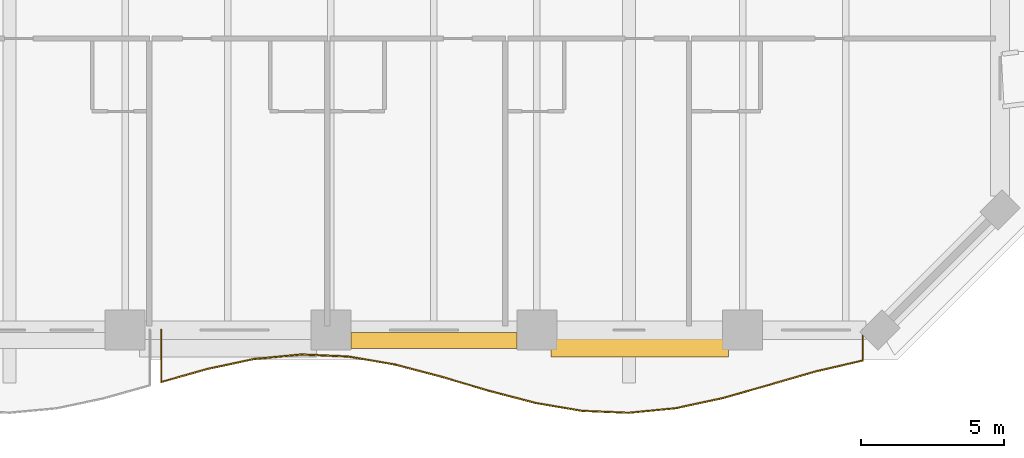
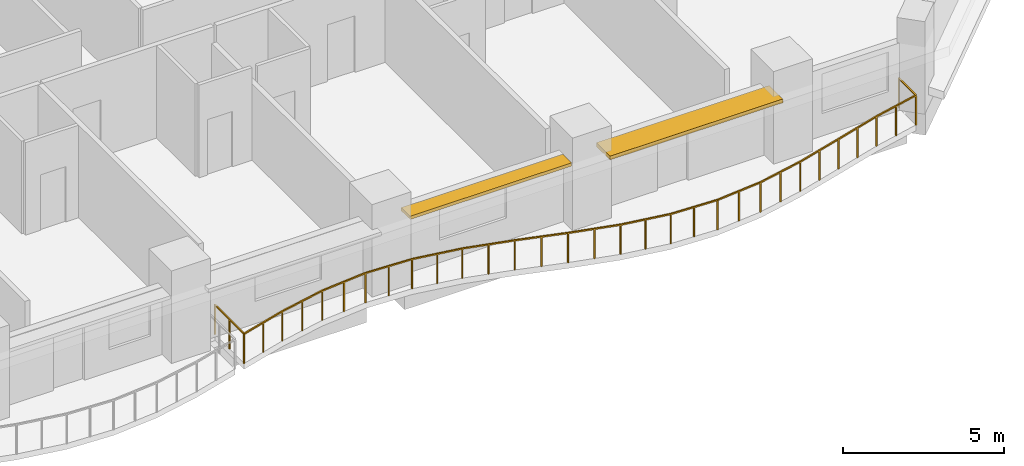
# One storey, part 14 of 15: 2 shading devices, 1 railing.
"""IFC4 building model written with IfcOpenShell, lengths in metres."""

from ifc_helpers import new_model, si_unit, direction, frame, origin, origin_2d, place, context, subcontext, project, spatial, rectangle, extrude, material, layer, layer_set, type_object, element, save


model = new_model("IFC4")

# Units and contexts
model_context = context("Model", 3, precision=1e-05, world=origin(), true_north=direction((0.0, 1.0)))
body_context = subcontext(model_context, "Body", "Model", "MODEL_VIEW")
ifc_project = project(units=[si_unit("LENGTHUNIT", "METRE"), si_unit("AREAUNIT", "SQUARE_METRE"), si_unit("VOLUMEUNIT", "CUBIC_METRE"), si_unit("PLANEANGLEUNIT", "RADIAN"), si_unit("MASSUNIT", "GRAM", prefix="KILO")], contexts=[model_context])

# Site, building, storey
site_placement = place(None, origin())
site = spatial("IfcSite", under=ifc_project, at=site_placement, CompositionType="ELEMENT")
building_placement = place(site_placement, origin())
building = spatial("IfcBuilding", under=site, at=building_placement, Name="Kaelvorn Grand Hotel", CompositionType="ELEMENT")
storey_placement = place(building_placement, frame((0.0, 0.0, 46.39990234375)))
storey = spatial("IfcBuildingStorey", under=building, at=storey_placement, Name="L09", CompositionType="ELEMENT", Elevation=46.39990234375)

# Railing
ifc_material_1 = material(Name="Stainless Steel", Category="steel")
railing_type = type_object("IfcRailingType", Name="RL-BALC-1150", PredefinedType="BALUSTRADE", material=ifc_material_1)
railing_placement = place(storey_placement, frame((54.666748046875, 0.0, 0.0)))
element("IfcRailing", 1, at=railing_placement, inside=storey, type_object=railing_type, Name="L09 Scalloped Wave Balcony Balustrade GR1-3", PredefinedType="BALUSTRADE", context=body_context, shape_type="SweptSolid", body=[
    extrude(rectangle(XDim=0.048095703125, YDim=0.048095703125, at=origin_2d()), frame((0.0, 0.0, 1.1259765625), z_axis=(0.0, -1.0, 0.0), x_axis=(1.0, 0.0, 0.0)), (0.0, 0.0, 1.0), 1.8193359375),
    extrude(rectangle(XDim=0.048095703125, YDim=0.048095703125, at=origin_2d()), frame((0.0, -1.8193359375, 1.1259765625), z_axis=(0.962241545122, 0.272197003733, 0.0), x_axis=(-0.272197003733, 0.962241545122, 0.0)), (0.0, 0.0, 1.0), 1.69970703125),
    extrude(rectangle(XDim=0.048095703125, YDim=0.048095703125, at=origin_2d()), frame((1.635498046875, -1.356689453125, 1.1259765625), z_axis=(0.978174805455, 0.207783661466, 0.0), x_axis=(-0.207783661466, 0.978174805455, 0.0)), (0.0, 0.0, 1.0), 1.671875),
    extrude(rectangle(XDim=0.048095703125, YDim=0.048095703125, at=origin_2d()), frame((3.27099609375, -1.00927734375, 1.1259765625), z_axis=(0.995523480824, 0.09451454453, 0.0), x_axis=(-0.09451454453, 0.995523480824, 0.0)), (0.0, 0.0, 1.0), 1.642822265625),
    extrude(rectangle(XDim=0.048095703125, YDim=0.048095703125, at=origin_2d()), frame((4.906494140625, -0.85400390625, 1.1259765625), z_axis=(0.999045154146, -0.043689586592, 0.0), x_axis=(0.043689586592, 0.999045154146, 0.0)), (0.0, 0.0, 1.0), 1.63720703125),
    extrude(rectangle(XDim=0.048095703125, YDim=0.048095703125, at=origin_2d()), frame((6.542236328125, -0.925537109375, 1.1259765625), z_axis=(0.985410815118, -0.170192612792, 0.0), x_axis=(0.170192612792, 0.985410815118, 0.0)), (0.0, 0.0, 1.0), 1.65966796875),
    extrude(rectangle(XDim=0.048095703125, YDim=0.048095703125, at=origin_2d()), frame((8.177734375, -1.2080078125, 1.1259765625), z_axis=(0.967035258154, -0.254642513119, 0.0), x_axis=(0.254642513119, 0.967035258154, 0.0)), (0.0, 0.0, 1.0), 1.691162109375),
    extrude(rectangle(XDim=0.048095703125, YDim=0.048095703125, at=origin_2d()), frame((9.813232421875, -1.638671875, 1.1259765625), z_axis=(0.959066322629, -0.283181547419, 0.0), x_axis=(0.283181547419, 0.959066322629, 0.0)), (0.0, 0.0, 1.0), 1.705322265625),
    extrude(rectangle(XDim=0.048095703125, YDim=0.048095703125, at=origin_2d()), frame((11.44873046875, -2.12158203125, 1.1259765625), z_axis=(0.967363797332, -0.253391561839, 0.0), x_axis=(0.253391561839, 0.967363797332, 0.0)), (0.0, 0.0, 1.0), 1.69091796875),
    extrude(rectangle(XDim=0.048095703125, YDim=0.048095703125, at=origin_2d()), frame((13.08447265625, -2.550048828125, 1.1259765625), z_axis=(0.985827384416, -0.167762832995, 0.0), x_axis=(0.167762832995, 0.985827384416, 0.0)), (0.0, 0.0, 1.0), 1.658935546875),
    extrude(rectangle(XDim=0.048095703125, YDim=0.048095703125, at=origin_2d()), frame((14.719970703125, -2.828369140625, 1.1259765625), z_axis=(0.9991706558, -0.040718553371, 0.0), x_axis=(0.040718553371, 0.9991706558, 0.0)), (0.0, 0.0, 1.0), 1.636962890625),
    extrude(rectangle(XDim=0.048095703125, YDim=0.048095703125, at=origin_2d()), frame((16.35546875, -2.89501953125, 1.1259765625), z_axis=(0.995253950263, 0.097311738681, 0.0), x_axis=(-0.097311738681, 0.995253950263, 0.0)), (0.0, 0.0, 1.0), 1.643310546875),
    extrude(rectangle(XDim=0.048095703125, YDim=0.048095703125, at=origin_2d()), frame((17.990966796875, -2.735107421875, 1.1259765625), z_axis=(0.977727596313, 0.209877934542, 0.0), x_axis=(-0.209877934542, 0.977727596313, 0.0)), (0.0, 0.0, 1.0), 1.6728515625),
    extrude(rectangle(XDim=0.048095703125, YDim=0.048095703125, at=origin_2d()), frame((19.62646484375, -2.384033203125, 1.1259765625), z_axis=(0.962026235743, 0.272956996141, 0.0), x_axis=(-0.272956996141, 0.962026235743, 0.0)), (0.0, 0.0, 1.0), 1.7001953125),
    extrude(rectangle(XDim=0.048095703125, YDim=0.048095703125, at=origin_2d()), frame((21.26220703125, -1.919921875, 1.1259765625), z_axis=(0.960494697942, 0.278298284625, 0.0), x_axis=(-0.278298284625, 0.960494697942, 0.0)), (0.0, 0.0, 1.0), 1.702880859375),
    extrude(rectangle(XDim=0.048095703125, YDim=0.048095703125, at=origin_2d()), frame((22.897705078125, -1.446044921875, 1.1259765625), z_axis=(0.974229174149, 0.225560449187, 0.0), x_axis=(-0.225560449187, 0.974229174149, 0.0)), (0.0, 0.0, 1.0), 1.6787109375),
    extrude(rectangle(XDim=0.048095703125, YDim=0.048095703125, at=origin_2d()), frame((24.533203125, -1.0673828125, 1.1259765625), z_axis=(0.0, 1.0, 0.0), x_axis=(-1.0, 0.0, 0.0)), (0.0, 0.0, 1.0), 1.0673828125),
    extrude(rectangle(XDim=0.0419921875, YDim=0.0419921875, at=origin_2d()), origin(), (0.0, 0.0, 1.0), 1.101806640625),
    extrude(rectangle(XDim=0.0419921875, YDim=0.0419921875, at=origin_2d()), frame((0.0, -0.90966796875, 0.0)), (0.0, 0.0, 1.0), 1.101806640625),
    extrude(rectangle(XDim=0.0419921875, YDim=0.0419921875, at=origin_2d()), frame((0.0, -1.8193359375, 0.0)), (0.0, 0.0, 1.0), 1.101806640625),
    extrude(rectangle(XDim=0.0419921875, YDim=0.0419921875, at=origin_2d()), frame((0.81787109375, -1.587890625, 0.0)), (0.0, 0.0, 1.0), 1.101806640625),
    extrude(rectangle(XDim=0.0419921875, YDim=0.0419921875, at=origin_2d()), frame((1.635498046875, -1.356689453125, 0.0)), (0.0, 0.0, 1.0), 1.101806640625),
    extrude(rectangle(XDim=0.0419921875, YDim=0.0419921875, at=origin_2d()), frame((2.453125, -1.18310546875, 0.0)), (0.0, 0.0, 1.0), 1.101806640625),
    extrude(rectangle(XDim=0.0419921875, YDim=0.0419921875, at=origin_2d()), frame((3.27099609375, -1.00927734375, 0.0)), (0.0, 0.0, 1.0), 1.101806640625),
    extrude(rectangle(XDim=0.0419921875, YDim=0.0419921875, at=origin_2d()), frame((4.0888671875, -0.931640625, 0.0)), (0.0, 0.0, 1.0), 1.101806640625),
    extrude(rectangle(XDim=0.0419921875, YDim=0.0419921875, at=origin_2d()), frame((4.906494140625, -0.85400390625, 0.0)), (0.0, 0.0, 1.0), 1.101806640625),
    extrude(rectangle(XDim=0.0419921875, YDim=0.0419921875, at=origin_2d()), frame((5.724365234375, -0.8896484375, 0.0)), (0.0, 0.0, 1.0), 1.101806640625),
    extrude(rectangle(XDim=0.0419921875, YDim=0.0419921875, at=origin_2d()), frame((6.542236328125, -0.925537109375, 0.0)), (0.0, 0.0, 1.0), 1.101806640625),
    extrude(rectangle(XDim=0.0419921875, YDim=0.0419921875, at=origin_2d()), frame((7.35986328125, -1.06689453125, 0.0)), (0.0, 0.0, 1.0), 1.101806640625),
    extrude(rectangle(XDim=0.0419921875, YDim=0.0419921875, at=origin_2d()), frame((8.177734375, -1.2080078125, 0.0)), (0.0, 0.0, 1.0), 1.101806640625),
    extrude(rectangle(XDim=0.0419921875, YDim=0.0419921875, at=origin_2d()), frame((8.99560546875, -1.42333984375, 0.0)), (0.0, 0.0, 1.0), 1.101806640625),
    extrude(rectangle(XDim=0.0419921875, YDim=0.0419921875, at=origin_2d()), frame((9.813232421875, -1.638671875, 0.0)), (0.0, 0.0, 1.0), 1.101806640625),
    extrude(rectangle(XDim=0.0419921875, YDim=0.0419921875, at=origin_2d()), frame((10.630859375, -1.880126953125, 0.0)), (0.0, 0.0, 1.0), 1.101806640625),
    extrude(rectangle(XDim=0.0419921875, YDim=0.0419921875, at=origin_2d()), frame((11.44873046875, -2.12158203125, 0.0)), (0.0, 0.0, 1.0), 1.101806640625),
    extrude(rectangle(XDim=0.0419921875, YDim=0.0419921875, at=origin_2d()), frame((12.2666015625, -2.3359375, 0.0)), (0.0, 0.0, 1.0), 1.101806640625),
    extrude(rectangle(XDim=0.0419921875, YDim=0.0419921875, at=origin_2d()), frame((13.08447265625, -2.550048828125, 0.0)), (0.0, 0.0, 1.0), 1.101806640625),
    extrude(rectangle(XDim=0.0419921875, YDim=0.0419921875, at=origin_2d()), frame((13.90234375, -2.689208984375, 0.0)), (0.0, 0.0, 1.0), 1.101806640625),
    extrude(rectangle(XDim=0.0419921875, YDim=0.0419921875, at=origin_2d()), frame((14.719970703125, -2.828369140625, 0.0)), (0.0, 0.0, 1.0), 1.101806640625),
    extrude(rectangle(XDim=0.0419921875, YDim=0.0419921875, at=origin_2d()), frame((15.53759765625, -2.86181640625, 0.0)), (0.0, 0.0, 1.0), 1.101806640625),
    extrude(rectangle(XDim=0.0419921875, YDim=0.0419921875, at=origin_2d()), frame((16.35546875, -2.89501953125, 0.0)), (0.0, 0.0, 1.0), 1.101806640625),
    extrude(rectangle(XDim=0.0419921875, YDim=0.0419921875, at=origin_2d()), frame((17.17333984375, -2.81494140625, 0.0)), (0.0, 0.0, 1.0), 1.101806640625),
    extrude(rectangle(XDim=0.0419921875, YDim=0.0419921875, at=origin_2d()), frame((17.990966796875, -2.735107421875, 0.0)), (0.0, 0.0, 1.0), 1.101806640625),
    extrude(rectangle(XDim=0.0419921875, YDim=0.0419921875, at=origin_2d()), frame((18.80859375, -2.5595703125, 0.0)), (0.0, 0.0, 1.0), 1.101806640625),
    extrude(rectangle(XDim=0.0419921875, YDim=0.0419921875, at=origin_2d()), frame((19.62646484375, -2.384033203125, 0.0)), (0.0, 0.0, 1.0), 1.101806640625),
    extrude(rectangle(XDim=0.0419921875, YDim=0.0419921875, at=origin_2d()), frame((20.4443359375, -2.15185546875, 0.0)), (0.0, 0.0, 1.0), 1.101806640625),
    extrude(rectangle(XDim=0.0419921875, YDim=0.0419921875, at=origin_2d()), frame((21.26220703125, -1.919921875, 0.0)), (0.0, 0.0, 1.0), 1.101806640625),
    extrude(rectangle(XDim=0.0419921875, YDim=0.0419921875, at=origin_2d()), frame((22.080078125, -1.68310546875, 0.0)), (0.0, 0.0, 1.0), 1.101806640625),
    extrude(rectangle(XDim=0.0419921875, YDim=0.0419921875, at=origin_2d()), frame((22.897705078125, -1.446044921875, 0.0)), (0.0, 0.0, 1.0), 1.101806640625),
    extrude(rectangle(XDim=0.0419921875, YDim=0.0419921875, at=origin_2d()), frame((23.71533203125, -1.2568359375, 0.0)), (0.0, 0.0, 1.0), 1.101806640625),
    extrude(rectangle(XDim=0.0419921875, YDim=0.0419921875, at=origin_2d()), frame((24.533203125, -1.0673828125, 0.0)), (0.0, 0.0, 1.0), 1.101806640625),
    extrude(rectangle(XDim=0.0419921875, YDim=0.0419921875, at=origin_2d()), frame((24.533203125, 0.0, 0.0)), (0.0, 0.0, 1.0), 1.101806640625),
])

# Shading devices
ifc_material_2 = material(Name="Precast concrete C45/55", Category="concrete")
ifc_layer_1 = layer(ifc_material_2, 0.1201171875)
ifc_layer_set_1 = layer_set([ifc_layer_1], Name="Precast concrete C45/55")
shading_device_type_1 = type_object("IfcShadingDeviceType", Name="SHD-SUNSHADE-550", PredefinedType="USERDEFINED", material=ifc_layer_set_1)
shading_device_1_placement = place(storey_placement, frame((64.199951171875, -0.364990234375, 2.419921875), z_axis=(0.0, 0.0, 1.0), x_axis=(1.0, 0.0, 0.0)))
element("IfcShadingDevice", 2, at=shading_device_1_placement, inside=storey, type_object=shading_device_type_1, Name="L09 Horizontal Concrete Sunshade Band SS-09", ObjectType="SUNSHADE", PredefinedType="USERDEFINED", context=body_context, shape_type="SweptSolid", body=[
    extrude(rectangle(XDim=5.800048828125, YDim=0.550048828125, at=origin_2d()), origin(), (0.0, 0.0, 1.0), 0.1201171875),
])
ifc_layer_2 = layer(ifc_material_2, 0.139892578125)
ifc_layer_set_2 = layer_set([ifc_layer_2], Name="Precast concrete C45/55")
shading_device_type_2 = type_object("IfcShadingDeviceType", Name="SHD-SUNSHADE-850", PredefinedType="USERDEFINED", material=ifc_layer_set_2)
shading_device_2_placement = place(storey_placement, frame((71.39990234375, -0.514892578125, 2.41015625), z_axis=(0.0, 0.0, 1.0), x_axis=(1.0, 0.0, 0.0)))
element("IfcShadingDevice", 3, at=shading_device_2_placement, inside=storey, type_object=shading_device_type_2, Name="L09 Horizontal Concrete Sunshade Band SS-10", ObjectType="SUNSHADE", PredefinedType="USERDEFINED", context=body_context, shape_type="SweptSolid", body=[
    extrude(rectangle(XDim=6.199951171875, YDim=0.85009765625, at=origin_2d()), origin(), (0.0, 0.0, 1.0), 0.139892578125),
])

save(model, "model.ifc")
